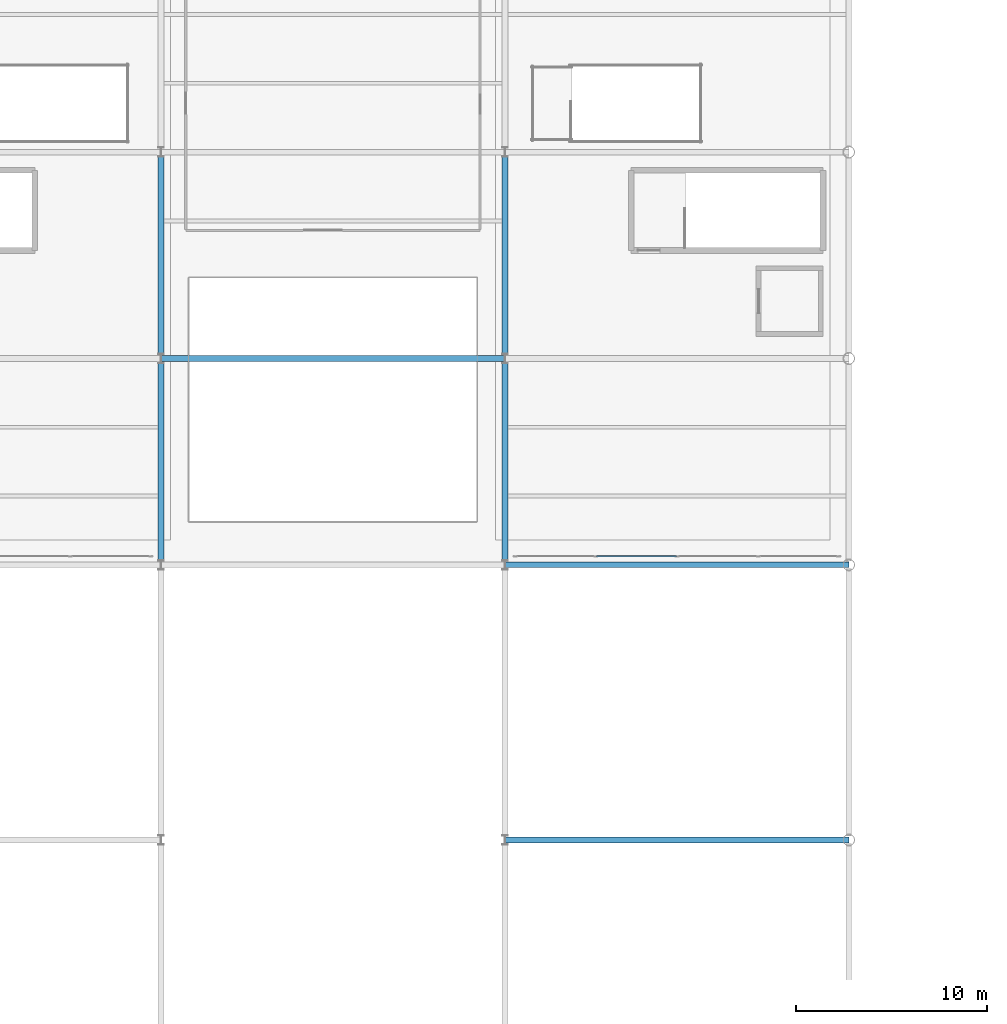
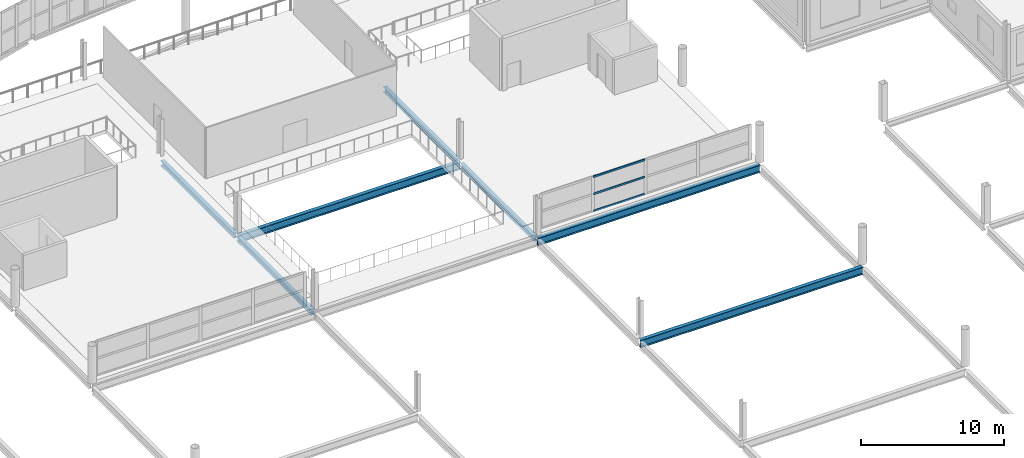
# One storey, part 67 of 134: 7 beams, 3 members, 1 element without a shape of its own.
"""IFC4 building model written with IfcOpenShell, lengths in metres."""

import ifcopenshell
import ifcopenshell.guid

model = None  # the IFC model being written
_history = None  # IfcOwnerHistory: only IFC2X3 demands one
_inside = {}  # id of a spatial element -> (the spatial element, [elements in it])
_under = {}  # id of a project, library or spatial element -> (it, [spatial elements below it])
_declared = {}  # id of a project -> (the project, [libraries it declares])
_typed = {}  # id of a type object -> (the type object, [elements of that type])
_made_of = {}  # id of a material, layer set ... -> (it, [elements and type objects made of it])


def new_model(schema):
    """Start an empty IFC model of exactly this schema.

    Asked for "IFC4X3", IfcOpenShell would pick the latest addendum, in which some entities
    have other attributes; the version numbers below select the first issue.
    IFC2X3 requires an IfcOwnerHistory on every rooted entity: one is made here for all.
    """
    global model, _history
    if schema == "IFC4X3":
        model = ifcopenshell.file(schema_version=(4, 3, 0, 0))
    else:
        model = ifcopenshell.file(schema=schema)
    _inside.clear()
    _under.clear()
    _declared.clear()
    _typed.clear()
    _made_of.clear()
    _history = None
    if model.schema == "IFC2X3":
        org = make("IfcOrganization", Name="unknown")
        user = make(
            "IfcPersonAndOrganization",
            ThePerson=make("IfcPerson", FamilyName="unknown"),
            TheOrganization=org,
        )
        app = make(
            "IfcApplication",
            ApplicationDeveloper=org,
            Version="unknown",
            ApplicationFullName="unknown",
            ApplicationIdentifier="unknown",
        )
        _history = make(
            "IfcOwnerHistory",
            OwningUser=user,
            OwningApplication=app,
            ChangeAction="ADDED",
            CreationDate=0,
        )
    return model


def make(cls, **values):
    """One entity of the class cls with the attributes given. An attribute that is None is left unset."""
    return model.create_entity(
        cls, **{name: value for name, value in values.items() if value is not None}
    )


def rooted(cls, **values):
    """An entity with a GlobalId (a new one), such as an element, a storey or a relation."""
    return make(cls, GlobalId=ifcopenshell.guid.new(), OwnerHistory=_history, **values)


def si_unit(unit_type, name, prefix=None):
    """IfcSIUnit, for example si_unit("LENGTHUNIT", "METRE", prefix="MILLI")."""
    return make("IfcSIUnit", UnitType=unit_type, Prefix=prefix, Name=name)


def assignment(units):
    """IfcUnitAssignment: the units of a project."""
    return None if units is None else make("IfcUnitAssignment", Units=units)


def point(xyz):
    """IfcCartesianPoint."""
    return None if xyz is None else make("IfcCartesianPoint", Coordinates=xyz)


def direction(xyz):
    """IfcDirection."""
    return None if xyz is None else make("IfcDirection", DirectionRatios=xyz)


def frame(location, z_axis=None, x_axis=None):
    """IfcAxis2Placement3D, a coordinate frame: its origin and axes. An axis left out is left unset."""
    return make(
        "IfcAxis2Placement3D",
        Location=point(location),
        Axis=direction(z_axis),
        RefDirection=direction(x_axis),
    )


def frame_2d(location, x_axis=None):
    """IfcAxis2Placement2D, a coordinate frame in the plane: its origin and x axis."""
    return make(
        "IfcAxis2Placement2D", Location=point(location), RefDirection=direction(x_axis)
    )


def origin():
    """The frame at (0, 0, 0) with its axes left unset."""
    return frame((0.0, 0.0, 0.0))


def origin_2d():
    """The frame at (0, 0) in the plane with its x axis left unset."""
    return frame_2d((0.0, 0.0))


def place(relative_to, where):
    """IfcLocalPlacement: puts the frame where relative to a parent placement (None: the world)."""
    return make(
        "IfcLocalPlacement", PlacementRelTo=relative_to, RelativePlacement=where
    )


def context(
    kind, dimensions, precision=None, world=None, true_north=None, identifier=None
):
    """IfcGeometricRepresentationContext, for example the 3D "Model" context."""
    return make(
        "IfcGeometricRepresentationContext",
        ContextIdentifier=identifier,
        ContextType=kind,
        CoordinateSpaceDimension=dimensions,
        Precision=precision,
        WorldCoordinateSystem=world,
        TrueNorth=true_north,
    )


def subcontext(parent, identifier, kind, view, scale=None):
    """IfcGeometricRepresentationSubContext, for example "Body" below "Model"."""
    return make(
        "IfcGeometricRepresentationSubContext",
        ContextIdentifier=identifier,
        ContextType=kind,
        ParentContext=parent,
        TargetScale=scale,
        TargetView=view,
    )


def project(units=None, contexts=None):
    """IfcProject with its units and contexts."""
    return rooted(
        "IfcProject",
        Name="project",
        RepresentationContexts=contexts,
        UnitsInContext=assignment(units),
    )


def spatial(cls, under=None, at=None, **own):
    """A site, building, storey or space (cls), placed at a placement, below another one or the project."""
    s = rooted(cls, ObjectPlacement=at, **own)
    if under is not None:
        _under.setdefault(under.id(), (under, []))[1].append(s)
    return s


def profile(cls, at=None, kind="AREA", **sizes):
    """A parametric profile (cls). Its sizes go by their IFC names, for example OverallWidth=200.0."""
    return make(cls, ProfileType=kind, Position=at, **sizes)


def hollow_rectangle(**sizes):
    """IfcRectangleHollowProfileDef."""
    return profile("IfcRectangleHollowProfileDef", **sizes)


def i_section(**sizes):
    """IfcIShapeProfileDef."""
    return profile("IfcIShapeProfileDef", **sizes)


def extrude(swept, where, along, depth):
    """IfcExtrudedAreaSolid: the profile swept, set in the frame where, extruded along a direction by depth."""
    return make(
        "IfcExtrudedAreaSolid",
        SweptArea=swept,
        Position=where,
        ExtrudedDirection=direction(along),
        Depth=depth,
    )


def shape(context_of_items, identifier, shape_type, items):
    """IfcShapeRepresentation: the items that make up one representation, for example the "Body"."""
    return make(
        "IfcShapeRepresentation",
        ContextOfItems=context_of_items,
        RepresentationIdentifier=identifier,
        RepresentationType=shape_type,
        Items=items,
    )


def material(Name=None, Category=None):
    """IfcMaterial."""
    return make("IfcMaterial", Name=Name, Category=Category)


def layer(
    of_material, thickness, ventilated=None, Name=None, Category=None, Priority=None
):
    """IfcMaterialLayer: one layer of a wall or slab, of a material (None: an air gap)."""
    return make(
        "IfcMaterialLayer",
        Material=of_material,
        LayerThickness=thickness,
        IsVentilated=ventilated,
        Name=Name,
        Category=Category,
        Priority=Priority,
    )


def layer_set(layers, Name=None):
    """IfcMaterialLayerSet."""
    return make("IfcMaterialLayerSet", MaterialLayers=layers, LayerSetName=Name)


def material_profile(
    of_material, cross_section, Name=None, Category=None, Priority=None
):
    """IfcMaterialProfile: a cross section and its material."""
    return make(
        "IfcMaterialProfile",
        Name=Name,
        Material=of_material,
        Profile=cross_section,
        Priority=Priority,
        Category=Category,
    )


def profile_set(profiles, Name=None, composite=None):
    """IfcMaterialProfileSet."""
    return make(
        "IfcMaterialProfileSet",
        Name=Name,
        MaterialProfiles=profiles,
        CompositeProfile=composite,
    )


def made_of(thing, what):
    """Note that an element or type object is made of a material, layer set ...; save() writes the relation."""
    if what is not None:
        _made_of.setdefault(what.id(), (what, []))[1].append(thing)
    return thing


def type_object(cls, material=None, **own):
    """A type object (cls), such as IfcWallType, which elements share."""
    return made_of(rooted(cls, **own), material)


def element(
    cls,
    number,
    at=None,
    inside=None,
    cuts=None,
    type_object=None,
    material=None,
    context=None,
    identifier="Body",
    shape_type=None,
    held_by="IfcProductDefinitionShape",
    body=None,
    shapes=None,
    **own,
):
    """One element of the class cls, such as IfcWall. Its Tag is "e" and its number.

    at: its placement. inside: the storey or other place that contains it. cuts: it is an
    opening in that element (IfcRelVoidsElement). A single representation is given by context,
    identifier, shape_type and body (its items); several are given by shapes. held_by: the class
    of the entity that holds the representations. save() writes the other relations.
    """
    e = rooted(cls, Tag="e%d" % number, ObjectPlacement=at, **own)
    if body is not None:
        shapes = [shape(context, identifier, shape_type, body)]
    if shapes is not None:
        e.Representation = make(held_by, Representations=shapes)
    if inside is not None:
        _inside.setdefault(inside.id(), (inside, []))[1].append(e)
    if cuts is not None:
        rooted(
            "IfcRelVoidsElement", RelatingBuildingElement=cuts, RelatedOpeningElement=e
        )
    if type_object is not None:
        _typed.setdefault(type_object.id(), (type_object, []))[1].append(e)
    return made_of(e, material)


def aggregate(whole, parts):
    """IfcRelAggregates: a whole, such as a stair, and the parts it consists of."""
    return rooted("IfcRelAggregates", RelatingObject=whole, RelatedObjects=parts)


def save(model, path):
    """Write the relations noted so far, then the file.

    IfcRelAggregates (storeys below a building ...), IfcRelContainedInSpatialStructure (elements
    in a storey), IfcRelDefinesByType, IfcRelAssociatesMaterial and IfcRelDeclares: one each for
    every whole, place, type object, material and project.
    """
    for whole, parts in _under.values():
        aggregate(whole, parts)
    for where, things in _inside.values():
        rooted(
            "IfcRelContainedInSpatialStructure",
            RelatedElements=things,
            RelatingStructure=where,
        )
    for kind, things in _typed.values():
        rooted("IfcRelDefinesByType", RelatedObjects=things, RelatingType=kind)
    for what, things in _made_of.values():
        rooted("IfcRelAssociatesMaterial", RelatedObjects=things, RelatingMaterial=what)
    for by, libraries in _declared.values():
        rooted("IfcRelDeclares", RelatingContext=by, RelatedDefinitions=libraries)
    model.write(path)


model = new_model("IFC4")

# Units and contexts
model_context = context("Model", 3, precision=1e-05, world=origin(), true_north=direction((0.0, 1.0)))
body_context = subcontext(model_context, "Body", "Model", "MODEL_VIEW")
ifc_project = project(units=[si_unit("LENGTHUNIT", "METRE"), si_unit("AREAUNIT", "SQUARE_METRE"), si_unit("VOLUMEUNIT", "CUBIC_METRE"), si_unit("PLANEANGLEUNIT", "RADIAN"), si_unit("MASSUNIT", "GRAM", prefix="KILO")], contexts=[model_context])

# Site, building, storey
site_placement = place(None, origin())
site = spatial("IfcSite", under=ifc_project, at=site_placement, CompositionType="ELEMENT")
building_placement = place(site_placement, origin())
building = spatial("IfcBuilding", under=site, at=building_placement, Name="Tamarisk Ironworks Central Station", CompositionType="ELEMENT")
storey_placement = place(building_placement, frame((0.0, 0.0, 12.60009765625)))
storey = spatial("IfcBuildingStorey", under=building, at=storey_placement, Name="L02", CompositionType="ELEMENT", Elevation=12.60009765625)

# Beams
ifc_material_1 = material(Name="Structural steel S355J2", Category="steel")
ifc_material_profile_1 = material_profile(ifc_material_1, i_section(OverallWidth=0.300048828125, OverallDepth=0.639892578125, WebThickness=0.013427734375, FlangeThickness=0.02587890625, at=origin_2d()), Name="HEA 650")
ifc_profile_set_1 = profile_set([ifc_material_profile_1], Name="Structural steel S355J2")
beam_type_1 = type_object("IfcBeamType", Name="BM-G02", PredefinedType="BEAM", material=ifc_profile_set_1)
for number, where, z_axis, x_axis, name in (
    (1, (90.00390625, 64.800048828125, -0.60009765625), (1.0, 0.0, 0.0), (0.0, 1.0, 0.0), "L02 primary girder X-0349"),
    (2, (90.00390625, 79.199951171875, -0.60009765625), (1.0, 0.0, 0.0), (0.0, 1.0, 0.0), "L02 primary girder X-0362"),
    (3, (72.00390625, 90.0, -0.60009765625), (1.0, 0.0, 0.0), (0.0, 1.0, 0.0), "L02 primary girder X-0374"),
):
    element("IfcBeam", number, at=place(storey_placement, frame(where, z_axis=z_axis, x_axis=x_axis)), inside=storey, type_object=beam_type_1, Name=name, PredefinedType="BEAM", context=body_context, shape_type="SweptSolid", body=[
        extrude(i_section(OverallWidth=0.300048828125, OverallDepth=0.639892578125, WebThickness=0.013427734375, FlangeThickness=0.02587890625, at=origin_2d()), origin(), (0.0, 0.0, 1.0), 17.9921875),
    ])
ifc_material_profile_2 = material_profile(ifc_material_1, i_section(OverallWidth=0.300048828125, OverallDepth=0.43994140625, WebThickness=0.011474609375, FlangeThickness=0.02099609375, at=origin_2d()), Name="HEA 450")
ifc_profile_set_2 = profile_set([ifc_material_profile_2], Name="Structural steel S355J2")
beam_type_2 = type_object("IfcBeamType", Name="BM-G06", PredefinedType="BEAM", material=ifc_profile_set_2)
beam_1_placement = place(storey_placement, frame((72.0, 79.39599609375, -0.5), z_axis=(0.0, 1.0, 0.0), x_axis=(-1.0, 0.0, 0.0)))
element("IfcBeam", 4, at=beam_1_placement, inside=storey, type_object=beam_type_2, Name="L02 primary girder Y-0469", PredefinedType="BEAM", context=body_context, shape_type="SweptSolid", body=[
    extrude(i_section(OverallWidth=0.300048828125, OverallDepth=0.43994140625, WebThickness=0.011474609375, FlangeThickness=0.02099609375, at=origin_2d()), origin(), (0.0, 0.0, 1.0), 10.341064453125),
])
beam_2_placement = place(storey_placement, frame((72.0, 90.262939453125, -0.5), z_axis=(0.0, 1.0, 0.0), x_axis=(-1.0, 0.0, 0.0)))
element("IfcBeam", 5, at=beam_2_placement, inside=storey, type_object=beam_type_2, Name="L02 primary girder Y-0470", PredefinedType="BEAM", context=body_context, shape_type="SweptSolid", body=[
    extrude(i_section(OverallWidth=0.300048828125, OverallDepth=0.43994140625, WebThickness=0.011474609375, FlangeThickness=0.02099609375, at=origin_2d()), origin(), (0.0, 0.0, 1.0), 10.274169921875),
])
beam_3_placement = place(storey_placement, frame((90.0, 79.39599609375, -0.5), z_axis=(0.0, 1.0, 0.0), x_axis=(-1.0, 0.0, 0.0)))
element("IfcBeam", 6, at=beam_3_placement, inside=storey, type_object=beam_type_2, Name="L02 primary girder Y-0477", PredefinedType="BEAM", context=body_context, shape_type="SweptSolid", body=[
    extrude(i_section(OverallWidth=0.300048828125, OverallDepth=0.43994140625, WebThickness=0.011474609375, FlangeThickness=0.02099609375, at=origin_2d()), origin(), (0.0, 0.0, 1.0), 10.341064453125),
])
beam_4_placement = place(storey_placement, frame((90.0, 90.262939453125, -0.5), z_axis=(0.0, 1.0, 0.0), x_axis=(-1.0, 0.0, 0.0)))
element("IfcBeam", 7, at=beam_4_placement, inside=storey, type_object=beam_type_2, Name="L02 primary girder Y-0478", PredefinedType="BEAM", context=body_context, shape_type="SweptSolid", body=[
    extrude(i_section(OverallWidth=0.300048828125, OverallDepth=0.43994140625, WebThickness=0.011474609375, FlangeThickness=0.02099609375, at=origin_2d()), origin(), (0.0, 0.0, 1.0), 10.274169921875),
])

# Curtain wall, members
ifc_material_2 = material(Name="Anodized aluminium alloy 6063-T6", Category="aluminium")
ifc_layer = layer(ifc_material_2, 0.179931640625)
ifc_layer_set = layer_set([ifc_layer], Name="Anodized aluminium alloy 6063-T6")
curtain_wall_type = type_object("IfcCurtainWallType", Name="CW-24", PredefinedType="USERDEFINED", material=ifc_layer_set)
curtain_wall_placement = place(storey_placement, origin())
curtain_wall = element("IfcCurtainWall", 8, at=curtain_wall_placement, inside=storey, type_object=curtain_wall_type, Name="Mezzanine south-east acoustic screen", ObjectType="GLAZED CURTAIN WALL", PredefinedType="USERDEFINED")
ifc_material_profile_3 = material_profile(ifc_material_2, hollow_rectangle(XDim=0.074951171875, YDim=0.159912109375, WallThickness=0.00390625, at=origin_2d()), Name="ALUM 160x75")
ifc_profile_set_3 = profile_set([ifc_material_profile_3], Name="Anodized aluminium alloy 6063-T6")
member_type = type_object("IfcMemberType", Name="CWT-01", PredefinedType="USERDEFINED", material=ifc_profile_set_3)
member_1_placement = place(storey_placement, frame((94.783447265625, 79.64990234375, 0.037353515625), z_axis=(1.0, 0.0, 0.0), x_axis=(0.0, 1.0, 0.0)))
member_1 = element("IfcMember", 9, at=member_1_placement, type_object=member_type, Name="CW24 transom 2.1", ObjectType="TRANSOM", PredefinedType="USERDEFINED", context=body_context, shape_type="SweptSolid", body=[
    extrude(hollow_rectangle(XDim=0.074951171875, YDim=0.159912109375, WallThickness=0.00390625, at=origin_2d()), origin(), (0.0, 0.0, 1.0), 4.18310546875),
])
member_2_placement = place(storey_placement, frame((94.783447265625, 79.64990234375, 1.5), z_axis=(1.0, 0.0, 0.0), x_axis=(0.0, 1.0, 0.0)))
member_2 = element("IfcMember", 10, at=member_2_placement, type_object=member_type, Name="CW24 transom 2.2", ObjectType="TRANSOM", PredefinedType="USERDEFINED", context=body_context, shape_type="SweptSolid", body=[
    extrude(hollow_rectangle(XDim=0.074951171875, YDim=0.159912109375, WallThickness=0.00390625, at=origin_2d()), origin(), (0.0, 0.0, 1.0), 4.18310546875),
])
member_3_placement = place(storey_placement, frame((94.783447265625, 79.64990234375, 2.96240234375), z_axis=(1.0, 0.0, 0.0), x_axis=(0.0, 1.0, 0.0)))
member_3 = element("IfcMember", 11, at=member_3_placement, type_object=member_type, Name="CW24 transom 2.3", ObjectType="TRANSOM", PredefinedType="USERDEFINED", context=body_context, shape_type="SweptSolid", body=[
    extrude(hollow_rectangle(XDim=0.074951171875, YDim=0.159912109375, WallThickness=0.00390625, at=origin_2d()), origin(), (0.0, 0.0, 1.0), 4.18310546875),
])
aggregate(curtain_wall, [member_1, member_2, member_3])

save(model, "model.ifc")
